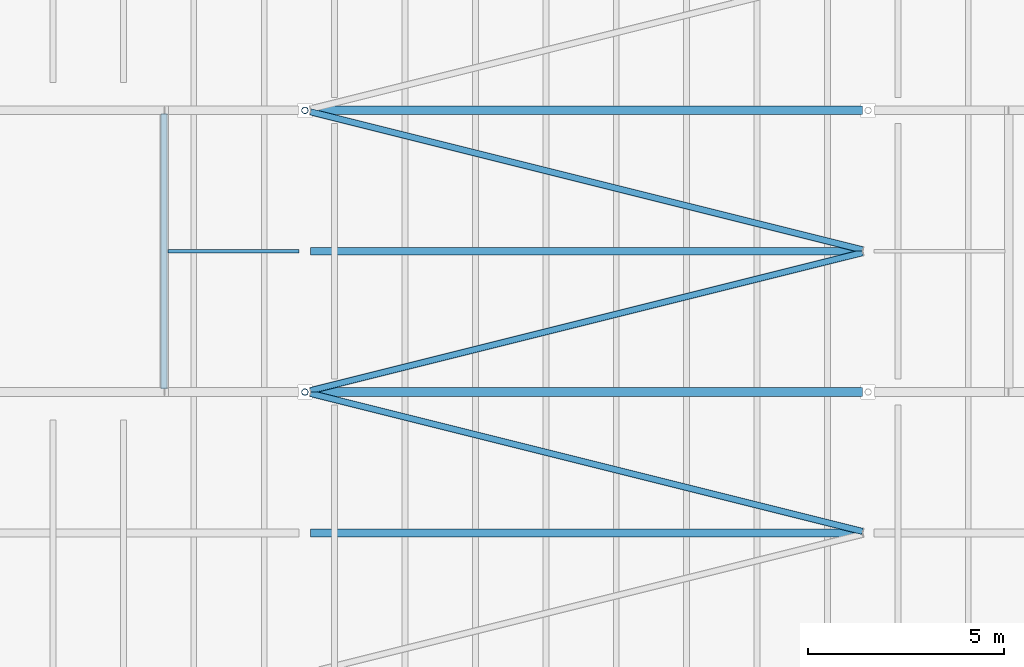
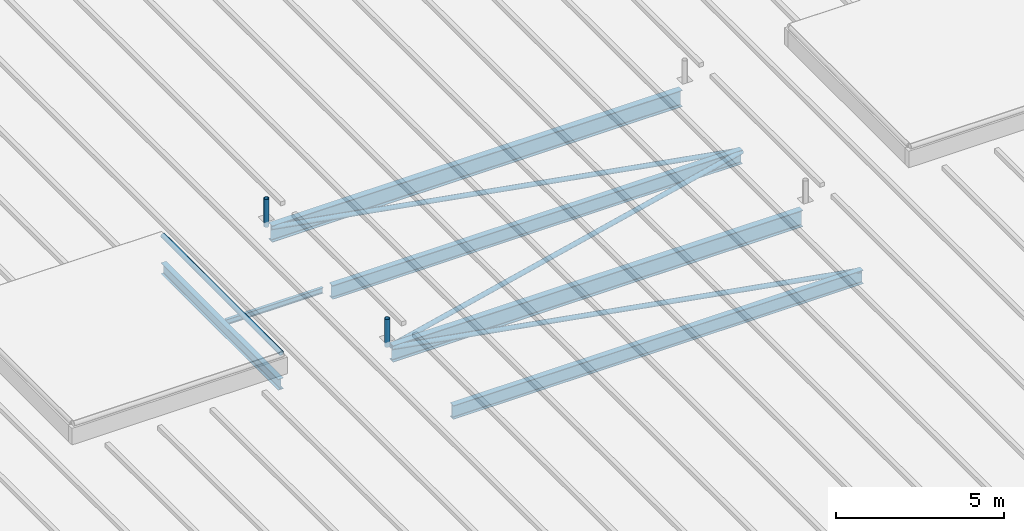
# One storey, part 45 of 120: 6 beams, 6 members.
"""IFC4 building model written with IfcOpenShell, lengths in metres."""

from ifc_helpers import new_model, si_unit, direction, frame, origin, origin_2d, place, context, subcontext, project, spatial, hollow_circle, i_section, extrude, material, material_profile, profile_set, type_object, element, save


model = new_model("IFC4")

# Units and contexts
model_context = context("Model", 3, precision=1e-05, world=origin(), true_north=direction((0.0, 1.0)))
body_context = subcontext(model_context, "Body", "Model", "MODEL_VIEW")
ifc_project = project(units=[si_unit("LENGTHUNIT", "METRE"), si_unit("AREAUNIT", "SQUARE_METRE"), si_unit("VOLUMEUNIT", "CUBIC_METRE"), si_unit("PLANEANGLEUNIT", "RADIAN"), si_unit("MASSUNIT", "GRAM", prefix="KILO")], contexts=[model_context])

# Site, building, storey
site_placement = place(None, origin())
site = spatial("IfcSite", under=ifc_project, at=site_placement, CompositionType="ELEMENT")
building_placement = place(site_placement, origin())
building = spatial("IfcBuilding", under=site, at=building_placement, Name="Kupolbacken Congress Centre", CompositionType="ELEMENT")
storey_placement = place(building_placement, frame((0.0, 0.0, 21.60009765625)))
storey = spatial("IfcBuildingStorey", under=building, at=storey_placement, Name="L06", CompositionType="ELEMENT", Elevation=21.60009765625)

# Beams
ifc_material_1 = material(Name="Steel S355", Category="steel")
ifc_material_profile_1 = material_profile(ifc_material_1, i_section(OverallWidth=0.10009765625, OverallDepth=0.199951171875, WebThickness=0.005615234375, FlangeThickness=0.008544921875, FilletRadius=0.011962890625, at=origin_2d()), Name="IPE 200")
ifc_profile_set_1 = profile_set([ifc_material_profile_1], Name="Steel S355")
beam_type_1 = type_object("IfcBeamType", Name="B01 beam IPE 200", PredefinedType="BEAM", material=ifc_profile_set_1)
beam_1_placement = place(storey_placement, frame((147.699951171875, 79.199951171875, -0.10009765625), z_axis=(1.0, 0.0, 0.0), x_axis=(0.0, 1.0, 0.0)))
element("IfcBeam", 1, at=beam_1_placement, inside=storey, type_object=beam_type_1, Name="HR/P10-04-1", PredefinedType="BEAM", context=body_context, shape_type="SweptSolid", body=[
    extrude(i_section(OverallWidth=0.10009765625, OverallDepth=0.199951171875, WebThickness=0.005615234375, FlangeThickness=0.008544921875, FilletRadius=0.011962890625, at=origin_2d()), origin(), (0.0, 0.0, 1.0), 3.35498046875),
])
ifc_material_2 = material(Name="Steel S355", Category="steel")
ifc_material_profile_2 = material_profile(ifc_material_2, i_section(OverallWidth=0.179931640625, OverallDepth=0.39990234375, WebThickness=0.008544921875, FlangeThickness=0.013427734375, FilletRadius=0.02099609375, at=origin_2d()), Name="IPE 400")
ifc_profile_set_2 = profile_set([ifc_material_profile_2], Name="Steel S355")
beam_type_2 = type_object("IfcBeamType", Name="B07 beam IPE 400", PredefinedType="BEAM", material=ifc_profile_set_2)
beam_2_placement = place(storey_placement, frame((147.60009765625, 75.699951171875, -0.2001953125), z_axis=(0.0, 1.0, 0.0), x_axis=(-1.0, 0.0, 0.0)))
element("IfcBeam", 2, at=beam_2_placement, inside=storey, type_object=beam_type_2, Name="HR/CT5E", PredefinedType="BEAM", context=body_context, shape_type="SweptSolid", body=[
    extrude(i_section(OverallWidth=0.179931640625, OverallDepth=0.39990234375, WebThickness=0.008544921875, FlangeThickness=0.013427734375, FilletRadius=0.02099609375, at=origin_2d()), origin(), (0.0, 0.0, 1.0), 7.0),
])
ifc_material_3 = material(Name="Steel S355", Category="steel")
ifc_material_profile_3 = material_profile(ifc_material_3, i_section(OverallWidth=0.199951171875, OverallDepth=0.5, WebThickness=0.01025390625, FlangeThickness=0.01611328125, FilletRadius=0.02099609375, at=origin_2d()), Name="IPE 500")
ifc_profile_set_3 = profile_set([ifc_material_profile_3], Name="Steel S355")
beam_type_3 = type_object("IfcBeamType", Name="B09 beam IPE 500", PredefinedType="BEAM", material=ifc_profile_set_3)
for number, where, z_axis, x_axis, name in (
    (3, (151.344970703125, 72.0, -0.25), (1.0, 0.0, 0.0), (0.0, 1.0, 0.0), "HR/P08-05"),
    (4, (151.344970703125, 79.199951171875, -0.25), (1.0, 0.0, 0.0), (0.0, 1.0, 0.0), "HR/P10-05"),
):
    element("IfcBeam", number, at=place(storey_placement, frame(where, z_axis=z_axis, x_axis=x_axis)), inside=storey, type_object=beam_type_3, Name=name, PredefinedType="BEAM", context=body_context, shape_type="SweptSolid", body=[
        extrude(i_section(OverallWidth=0.199951171875, OverallDepth=0.5, WebThickness=0.01025390625, FlangeThickness=0.01611328125, FilletRadius=0.02099609375, at=origin_2d()), origin(), (0.0, 0.0, 1.0), 14.110107421875),
    ])
ifc_material_4 = material(Name="Steel S355", Category="steel")
ifc_material_profile_4 = material_profile(ifc_material_4, i_section(OverallWidth=0.219970703125, OverallDepth=0.60009765625, WebThickness=0.011962890625, FlangeThickness=0.01904296875, FilletRadius=0.02392578125, at=origin_2d()), Name="IPE 600")
ifc_profile_set_4 = profile_set([ifc_material_profile_4], Name="Steel S355")
beam_type_4 = type_object("IfcBeamType", Name="B11 beam IPE 600", PredefinedType="BEAM", material=ifc_profile_set_4)
for number, where, z_axis, x_axis, name in (
    (5, (151.344970703125, 75.60009765625, -0.300048828125), (1.0, 0.0, 0.0), (0.0, 1.0, 0.0), "HR/X09-05"),
    (6, (151.344970703125, 82.800048828125, -0.300048828125), (1.0, 0.0, 0.0), (0.0, 1.0, 0.0), "HR/X11-05"),
):
    element("IfcBeam", number, at=place(storey_placement, frame(where, z_axis=z_axis, x_axis=x_axis)), inside=storey, type_object=beam_type_4, Name=name, PredefinedType="BEAM", context=body_context, shape_type="SweptSolid", body=[
        extrude(i_section(OverallWidth=0.219970703125, OverallDepth=0.60009765625, WebThickness=0.011962890625, FlangeThickness=0.01904296875, FilletRadius=0.02392578125, at=origin_2d()), origin(), (0.0, 0.0, 1.0), 14.110107421875),
    ])

# Members
ifc_material_5 = material(Name="Steel S355", Category="steel")
ifc_material_profile_5 = material_profile(ifc_material_5, hollow_circle(Radius=0.084228515625, WallThickness=0.008056640625, at=origin_2d()), Name="CHS 168.3 x 8")
ifc_profile_set_5 = profile_set([ifc_material_profile_5], Name="Steel S355")
member_type_1 = type_object("IfcMemberType", Name="M20 transfer truss post CHS 168.3 x 8", PredefinedType="STRUT", material=ifc_profile_set_5)
for number, where, z_axis, x_axis, name in (
    (7, (151.199951171875, 75.60009765625, -0.010009765625), (0.0, 0.0, 1.0), (1.0, 0.0, 0.0), "Roof stay anchor post M5S.2"),
    (8, (151.199951171875, 82.800048828125, -0.010009765625), (0.0, 0.0, 1.0), (1.0, 0.0, 0.0), "Roof stay anchor post M5N.2"),
):
    element("IfcMember", number, at=place(storey_placement, frame(where, z_axis=z_axis, x_axis=x_axis)), inside=storey, type_object=member_type_1, Name=name, PredefinedType="STRUT", context=body_context, shape_type="SweptSolid", body=[
        extrude(hollow_circle(Radius=0.084228515625, WallThickness=0.008056640625, at=origin_2d()), origin(), (0.0, 0.0, 1.0), 1.010009765625),
    ])
ifc_material_6 = material(Name="Steel S355", Category="steel")
ifc_material_profile_6 = material_profile(ifc_material_6, hollow_circle(Radius=0.084228515625, WallThickness=0.008056640625, at=origin_2d()), Name="CHS 168.3 x 8")
ifc_profile_set_6 = profile_set([ifc_material_profile_6], Name="Steel S355")
member_type_2 = type_object("IfcMemberType", Name="M21 brace CHS 168.3 x 8", PredefinedType="BRACE", material=ifc_profile_set_6)
for number, where, z_axis, x_axis, name in (
    (9, (165.459228515625, 72.03515625, -0.084228515625), (-0.970140526498, 0.24254351949, 0.0), (-0.24254351949, -0.970140526498, 0.0), "HR/RB/05-08"),
    (10, (151.340576171875, 75.63525390625, -0.084228515625), (0.970144473737, 0.242527730535, 0.0), (-0.242527730535, 0.970144473737, 0.0), "HR/RB/05-09"),
    (11, (165.459228515625, 79.235107421875, -0.084228515625), (-0.970140526498, 0.24254351949, 0.0), (-0.24254351949, -0.970140526498, 0.0), "HR/RB/05-10"),
):
    element("IfcMember", number, at=place(storey_placement, frame(where, z_axis=z_axis, x_axis=x_axis)), inside=storey, type_object=member_type_2, Name=name, PredefinedType="BRACE", context=body_context, shape_type="SweptSolid", body=[
        extrude(hollow_circle(Radius=0.084228515625, WallThickness=0.008056640625, at=origin_2d()), origin(), (0.0, 0.0, 1.0), 14.55322265625),
    ])
member_placement = place(storey_placement, frame((147.60009765625, 75.674072265625, 0.944091796875), z_axis=(0.0, 1.0, 0.0), x_axis=(-1.0, 0.0, 0.0)))
element("IfcMember", 12, at=member_placement, inside=storey, type_object=member_type_2, Name="RD/RL5/FE", PredefinedType="BRACE", context=body_context, shape_type="SweptSolid", body=[
    extrude(hollow_circle(Radius=0.084228515625, WallThickness=0.008056640625, at=origin_2d()), origin(), (0.0, 0.0, 1.0), 7.0517578125),
])

save(model, "model.ifc")
